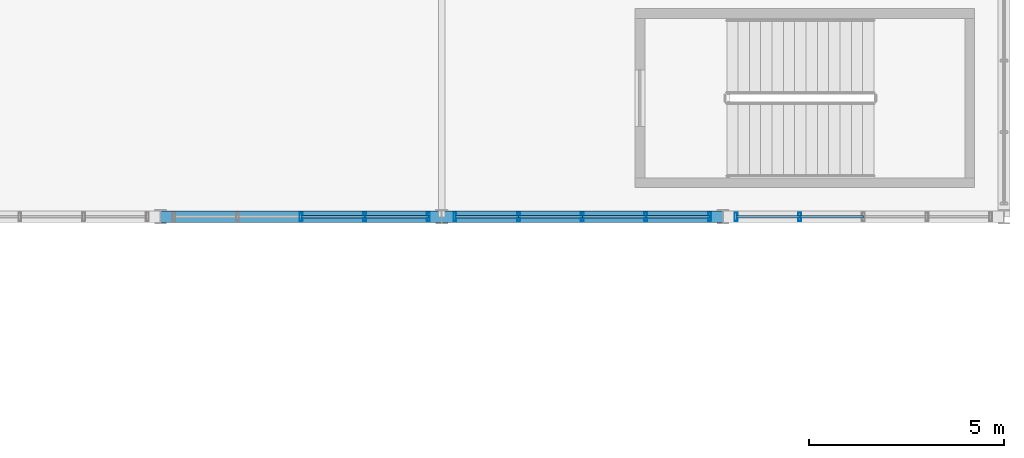
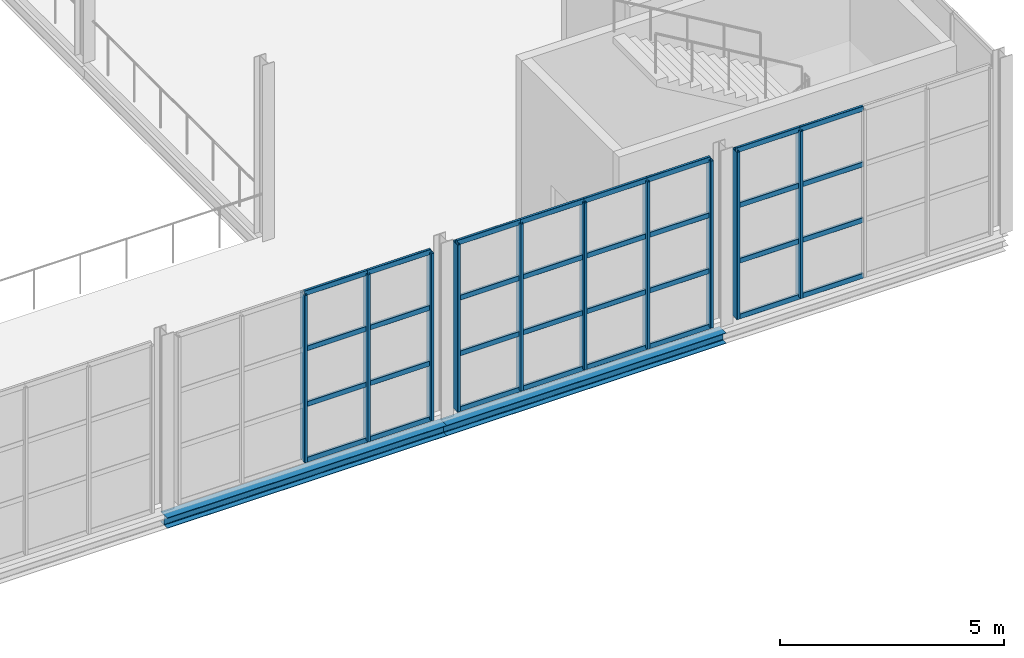
# One storey, part 59 of 143: 42 members, 2 beams, 3 elements without a shape of their own.
"""IFC4 building model written with IfcOpenShell, lengths in metres."""

from ifc_helpers import new_model, si_unit, derived_unit, direction, frame, origin, origin_2d, place, context, subcontext, project, spatial, hollow_rectangle, i_section, extrude, material, material_profile, profile_set, type_object, element, aggregate, save


model = new_model("IFC4")

# Units and contexts
model_context = context("Model", 3, precision=1e-05, world=origin(), true_north=direction((0.0, 1.0)))
body_context = subcontext(model_context, "Body", "Model", "MODEL_VIEW")
ifc_project = project(units=[si_unit("LENGTHUNIT", "METRE"), si_unit("AREAUNIT", "SQUARE_METRE"), si_unit("VOLUMEUNIT", "CUBIC_METRE"), si_unit("PLANEANGLEUNIT", "RADIAN"), si_unit("MASSUNIT", "GRAM", prefix="KILO"), derived_unit("THERMALTRANSMITTANCEUNIT", [(si_unit("POWERUNIT", "WATT"), 1), (si_unit("LENGTHUNIT", "METRE"), -2), (si_unit("THERMODYNAMICTEMPERATUREUNIT", "KELVIN"), -1)])], contexts=[model_context])

# Site, building, storey
site_placement = place(None, origin())
site = spatial("IfcSite", under=ifc_project, at=site_placement, CompositionType="ELEMENT")
building_placement = place(site_placement, origin())
building = spatial("IfcBuilding", under=site, at=building_placement, Name="Keldorne Ridge Multi-Sports Centre", CompositionType="ELEMENT")
storey_placement = place(building_placement, frame((0.0, 0.0, 4.800048828125)))
storey = spatial("IfcBuildingStorey", under=building, at=storey_placement, Name="L01", CompositionType="ELEMENT", Elevation=4.800048828125)

# Beams
ifc_material_1 = material(Name="Steel S355", Category="steel")
ifc_material_profile_1 = material_profile(ifc_material_1, i_section(OverallWidth=0.300048828125, OverallDepth=0.2900390625, WebThickness=0.008544921875, FlangeThickness=0.013916015625, FilletRadius=0.027099609375, at=origin_2d()), Name="HEA 300")
ifc_profile_set_1 = profile_set([ifc_material_profile_1], Name="Steel S355")
beam_type = type_object("IfcBeamType", Name="BM-SP-04", PredefinedType="SPANDREL", material=ifc_profile_set_1)
beam_1_placement = place(storey_placement, frame((20.39990234375, 74.0, -0.3701171875), z_axis=(1.0, 0.0, 0.0), x_axis=(0.0, 1.0, 0.0)))
element("IfcBeam", 1, at=beam_1_placement, inside=storey, type_object=beam_type, Name="Climbing spandrel L01.74.3", PredefinedType="SPANDREL", context=body_context, shape_type="SweptSolid", body=[
    extrude(i_section(OverallWidth=0.300048828125, OverallDepth=0.2900390625, WebThickness=0.008544921875, FlangeThickness=0.013916015625, FilletRadius=0.027099609375, at=origin_2d()), origin(), (0.0, 0.0, 1.0), 7.2001953125),
])
beam_2_placement = place(storey_placement, frame((27.60009765625, 74.0, -0.3701171875), z_axis=(1.0, 0.0, 0.0), x_axis=(0.0, 1.0, 0.0)))
element("IfcBeam", 2, at=beam_2_placement, inside=storey, type_object=beam_type, Name="Climbing spandrel L01.74.4", PredefinedType="SPANDREL", context=body_context, shape_type="SweptSolid", body=[
    extrude(i_section(OverallWidth=0.300048828125, OverallDepth=0.2900390625, WebThickness=0.008544921875, FlangeThickness=0.013916015625, FilletRadius=0.027099609375, at=origin_2d()), origin(), (0.0, 0.0, 1.0), 7.199951171875),
])

# Curtain wall, members
ifc_material_2 = material(Name="Anodized aluminium", Category="aluminium")
curtain_wall_type_1 = type_object("IfcCurtainWallType", Name="CW-CW-04", PredefinedType="NOTDEFINED", material=ifc_material_2)
curtain_wall_1_placement = place(storey_placement, origin())
curtain_wall_1 = element("IfcCurtainWall", 3, at=curtain_wall_1_placement, inside=storey, type_object=curtain_wall_type_1, Name="Climbing belay south glazing 044", PredefinedType="NOTDEFINED")
ifc_material_profile_2 = material_profile(ifc_material_2, hollow_rectangle(XDim=0.074951171875, YDim=0.219970703125, WallThickness=0.0048828125, InnerFilletRadius=0.0048828125, OuterFilletRadius=0.010009765625, at=origin_2d()), Name="ALU MULLION 220x75x5")
ifc_profile_set_2 = profile_set([ifc_material_profile_2], Name="Anodized aluminium")
member_type_1 = type_object("IfcMemberType", Name="MEM-ML-02", PredefinedType="MULLION", material=ifc_profile_set_2)
member_1_placement = place(storey_placement, frame((24.0, 74.0, 0.0), z_axis=(0.0, 0.0, 1.0), x_axis=(1.0, 0.0, 0.0)))
member_1 = element("IfcMember", 4, at=member_1_placement, type_object=member_type_1, Name="CW-044 vertical mullion 3", PredefinedType="MULLION", context=body_context, shape_type="SweptSolid", body=[
    extrude(hollow_rectangle(XDim=0.074951171875, YDim=0.219970703125, WallThickness=0.0048828125, InnerFilletRadius=0.0048828125, OuterFilletRadius=0.010009765625, at=origin_2d()), origin(), (0.0, 0.0, 1.0), 4.550048828125),
])
member_2_placement = place(storey_placement, frame((25.6298828125, 74.0, 0.0), z_axis=(0.0, 0.0, 1.0), x_axis=(1.0, 0.0, 0.0)))
member_2 = element("IfcMember", 5, at=member_2_placement, type_object=member_type_1, Name="CW-044 vertical mullion 4", PredefinedType="MULLION", context=body_context, shape_type="SweptSolid", body=[
    extrude(hollow_rectangle(XDim=0.074951171875, YDim=0.219970703125, WallThickness=0.0048828125, InnerFilletRadius=0.0048828125, OuterFilletRadius=0.010009765625, at=origin_2d()), origin(), (0.0, 0.0, 1.0), 4.550048828125),
])
member_3_placement = place(storey_placement, frame((27.260009765625, 74.0, 0.0), z_axis=(0.0, 0.0, 1.0), x_axis=(1.0, 0.0, 0.0)))
member_3 = element("IfcMember", 6, at=member_3_placement, type_object=member_type_1, Name="CW-044 vertical mullion 5", PredefinedType="MULLION", context=body_context, shape_type="SweptSolid", body=[
    extrude(hollow_rectangle(XDim=0.074951171875, YDim=0.219970703125, WallThickness=0.0048828125, InnerFilletRadius=0.0048828125, OuterFilletRadius=0.010009765625, at=origin_2d()), origin(), (0.0, 0.0, 1.0), 4.550048828125),
])

curtain_wall_type_2 = type_object("IfcCurtainWallType", Name="CW-CW-08", PredefinedType="NOTDEFINED", material=ifc_material_2)
curtain_wall_2_placement = place(storey_placement, origin())
curtain_wall_2 = element("IfcCurtainWall", 7, at=curtain_wall_2_placement, inside=storey, type_object=curtain_wall_type_2, Name="Climbing belay south glazing 048", PredefinedType="NOTDEFINED")
member_4_placement = place(storey_placement, frame((27.93994140625, 74.0, 0.0), z_axis=(0.0, 0.0, 1.0), x_axis=(1.0, 0.0, 0.0)))
member_4 = element("IfcMember", 8, at=member_4_placement, type_object=member_type_1, Name="CW-048 vertical mullion 1", PredefinedType="MULLION", context=body_context, shape_type="SweptSolid", body=[
    extrude(hollow_rectangle(XDim=0.074951171875, YDim=0.219970703125, WallThickness=0.0048828125, InnerFilletRadius=0.0048828125, OuterFilletRadius=0.010009765625, at=origin_2d()), origin(), (0.0, 0.0, 1.0), 4.550048828125),
])
member_5_placement = place(storey_placement, frame((29.570068359375, 74.0, 0.0), z_axis=(0.0, 0.0, 1.0), x_axis=(1.0, 0.0, 0.0)))
member_5 = element("IfcMember", 9, at=member_5_placement, type_object=member_type_1, Name="CW-048 vertical mullion 2", PredefinedType="MULLION", context=body_context, shape_type="SweptSolid", body=[
    extrude(hollow_rectangle(XDim=0.074951171875, YDim=0.219970703125, WallThickness=0.0048828125, InnerFilletRadius=0.0048828125, OuterFilletRadius=0.010009765625, at=origin_2d()), origin(), (0.0, 0.0, 1.0), 4.550048828125),
])
member_6_placement = place(storey_placement, frame((31.199951171875, 74.0, 0.0), z_axis=(0.0, 0.0, 1.0), x_axis=(1.0, 0.0, 0.0)))
member_6 = element("IfcMember", 10, at=member_6_placement, type_object=member_type_1, Name="CW-048 vertical mullion 3", PredefinedType="MULLION", context=body_context, shape_type="SweptSolid", body=[
    extrude(hollow_rectangle(XDim=0.074951171875, YDim=0.219970703125, WallThickness=0.0048828125, InnerFilletRadius=0.0048828125, OuterFilletRadius=0.010009765625, at=origin_2d()), origin(), (0.0, 0.0, 1.0), 4.550048828125),
])
member_7_placement = place(storey_placement, frame((32.830078125, 74.0, 0.0), z_axis=(0.0, 0.0, 1.0), x_axis=(1.0, 0.0, 0.0)))
member_7 = element("IfcMember", 11, at=member_7_placement, type_object=member_type_1, Name="CW-048 vertical mullion 4", PredefinedType="MULLION", context=body_context, shape_type="SweptSolid", body=[
    extrude(hollow_rectangle(XDim=0.074951171875, YDim=0.219970703125, WallThickness=0.0048828125, InnerFilletRadius=0.0048828125, OuterFilletRadius=0.010009765625, at=origin_2d()), origin(), (0.0, 0.0, 1.0), 4.550048828125),
])
member_8_placement = place(storey_placement, frame((34.4599609375, 74.0, 0.0), z_axis=(0.0, 0.0, 1.0), x_axis=(1.0, 0.0, 0.0)))
member_8 = element("IfcMember", 12, at=member_8_placement, type_object=member_type_1, Name="CW-048 vertical mullion 5", PredefinedType="MULLION", context=body_context, shape_type="SweptSolid", body=[
    extrude(hollow_rectangle(XDim=0.074951171875, YDim=0.219970703125, WallThickness=0.0048828125, InnerFilletRadius=0.0048828125, OuterFilletRadius=0.010009765625, at=origin_2d()), origin(), (0.0, 0.0, 1.0), 4.550048828125),
])

curtain_wall_type_3 = type_object("IfcCurtainWallType", Name="CW-CW-05", PredefinedType="NOTDEFINED", material=ifc_material_2)
curtain_wall_3_placement = place(storey_placement, origin())
curtain_wall_3 = element("IfcCurtainWall", 13, at=curtain_wall_3_placement, inside=storey, type_object=curtain_wall_type_3, Name="Climbing belay south glazing 053", PredefinedType="NOTDEFINED")
member_9_placement = place(storey_placement, frame((35.139892578125, 74.0, 0.0), z_axis=(0.0, 0.0, 1.0), x_axis=(1.0, 0.0, 0.0)))
member_9 = element("IfcMember", 14, at=member_9_placement, type_object=member_type_1, Name="CW-053 vertical mullion 1", PredefinedType="MULLION", context=body_context, shape_type="SweptSolid", body=[
    extrude(hollow_rectangle(XDim=0.074951171875, YDim=0.219970703125, WallThickness=0.0048828125, InnerFilletRadius=0.0048828125, OuterFilletRadius=0.010009765625, at=origin_2d()), origin(), (0.0, 0.0, 1.0), 4.550048828125),
])
member_10_placement = place(storey_placement, frame((36.77001953125, 74.0, 0.0), z_axis=(0.0, 0.0, 1.0), x_axis=(1.0, 0.0, 0.0)))
member_10 = element("IfcMember", 15, at=member_10_placement, type_object=member_type_1, Name="CW-053 vertical mullion 2", PredefinedType="MULLION", context=body_context, shape_type="SweptSolid", body=[
    extrude(hollow_rectangle(XDim=0.074951171875, YDim=0.219970703125, WallThickness=0.0048828125, InnerFilletRadius=0.0048828125, OuterFilletRadius=0.010009765625, at=origin_2d()), origin(), (0.0, 0.0, 1.0), 4.550048828125),
])

# Member
ifc_material_profile_3 = material_profile(ifc_material_2, hollow_rectangle(XDim=0.06494140625, YDim=0.139892578125, WallThickness=0.00439453125, InnerFilletRadius=0.00439453125, OuterFilletRadius=0.009033203125, at=origin_2d()), Name="ALU TRANSOM 140x65x4.5")
ifc_profile_set_3 = profile_set([ifc_material_profile_3], Name="Anodized aluminium")
member_type_2 = type_object("IfcMemberType", Name="MEM-TR-01", PredefinedType="USERDEFINED", material=ifc_profile_set_3)
member_11_placement = place(storey_placement, frame((24.0, 74.0, 0.0), z_axis=(1.0, 0.0, 0.0), x_axis=(0.0, 1.0, 0.0)))
member_11 = element("IfcMember", 16, at=member_11_placement, type_object=member_type_2, Name="CW-044 transom 3.1", ObjectType="TRANSOM", PredefinedType="USERDEFINED", context=body_context, shape_type="SweptSolid", body=[
    extrude(hollow_rectangle(XDim=0.06494140625, YDim=0.139892578125, WallThickness=0.00439453125, InnerFilletRadius=0.00439453125, OuterFilletRadius=0.009033203125, at=origin_2d()), origin(), (0.0, 0.0, 1.0), 1.6298828125),
])

member_12_placement = place(storey_placement, frame((24.0, 74.0, 1.5166015625), z_axis=(1.0, 0.0, 0.0), x_axis=(0.0, 1.0, 0.0)))
member_12 = element("IfcMember", 17, at=member_12_placement, type_object=member_type_2, Name="CW-044 transom 3.2", ObjectType="TRANSOM", PredefinedType="USERDEFINED", context=body_context, shape_type="SweptSolid", body=[
    extrude(hollow_rectangle(XDim=0.06494140625, YDim=0.139892578125, WallThickness=0.00439453125, InnerFilletRadius=0.00439453125, OuterFilletRadius=0.009033203125, at=origin_2d()), origin(), (0.0, 0.0, 1.0), 1.6298828125),
])

member_13_placement = place(storey_placement, frame((24.0, 74.0, 3.033203125), z_axis=(1.0, 0.0, 0.0), x_axis=(0.0, 1.0, 0.0)))
member_13 = element("IfcMember", 18, at=member_13_placement, type_object=member_type_2, Name="CW-044 transom 3.3", ObjectType="TRANSOM", PredefinedType="USERDEFINED", context=body_context, shape_type="SweptSolid", body=[
    extrude(hollow_rectangle(XDim=0.06494140625, YDim=0.139892578125, WallThickness=0.00439453125, InnerFilletRadius=0.00439453125, OuterFilletRadius=0.009033203125, at=origin_2d()), origin(), (0.0, 0.0, 1.0), 1.6298828125),
])

member_14_placement = place(storey_placement, frame((24.0, 74.0, 4.550048828125), z_axis=(1.0, 0.0, 0.0), x_axis=(0.0, 1.0, 0.0)))
member_14 = element("IfcMember", 19, at=member_14_placement, type_object=member_type_2, Name="CW-044 transom 3.4", ObjectType="TRANSOM", PredefinedType="USERDEFINED", context=body_context, shape_type="SweptSolid", body=[
    extrude(hollow_rectangle(XDim=0.06494140625, YDim=0.139892578125, WallThickness=0.00439453125, InnerFilletRadius=0.00439453125, OuterFilletRadius=0.009033203125, at=origin_2d()), origin(), (0.0, 0.0, 1.0), 1.6298828125),
])

member_15_placement = place(storey_placement, frame((25.6298828125, 74.0, 0.0), z_axis=(1.0, 0.0, 0.0), x_axis=(0.0, 1.0, 0.0)))
member_15 = element("IfcMember", 20, at=member_15_placement, type_object=member_type_2, Name="CW-044 transom 4.1", ObjectType="TRANSOM", PredefinedType="USERDEFINED", context=body_context, shape_type="SweptSolid", body=[
    extrude(hollow_rectangle(XDim=0.06494140625, YDim=0.139892578125, WallThickness=0.00439453125, InnerFilletRadius=0.00439453125, OuterFilletRadius=0.009033203125, at=origin_2d()), origin(), (0.0, 0.0, 1.0), 1.630126953125),
])

member_16_placement = place(storey_placement, frame((25.6298828125, 74.0, 1.5166015625), z_axis=(1.0, 0.0, 0.0), x_axis=(0.0, 1.0, 0.0)))
member_16 = element("IfcMember", 21, at=member_16_placement, type_object=member_type_2, Name="CW-044 transom 4.2", ObjectType="TRANSOM", PredefinedType="USERDEFINED", context=body_context, shape_type="SweptSolid", body=[
    extrude(hollow_rectangle(XDim=0.06494140625, YDim=0.139892578125, WallThickness=0.00439453125, InnerFilletRadius=0.00439453125, OuterFilletRadius=0.009033203125, at=origin_2d()), origin(), (0.0, 0.0, 1.0), 1.630126953125),
])

member_17_placement = place(storey_placement, frame((25.6298828125, 74.0, 3.033203125), z_axis=(1.0, 0.0, 0.0), x_axis=(0.0, 1.0, 0.0)))
member_17 = element("IfcMember", 22, at=member_17_placement, type_object=member_type_2, Name="CW-044 transom 4.3", ObjectType="TRANSOM", PredefinedType="USERDEFINED", context=body_context, shape_type="SweptSolid", body=[
    extrude(hollow_rectangle(XDim=0.06494140625, YDim=0.139892578125, WallThickness=0.00439453125, InnerFilletRadius=0.00439453125, OuterFilletRadius=0.009033203125, at=origin_2d()), origin(), (0.0, 0.0, 1.0), 1.630126953125),
])

member_18_placement = place(storey_placement, frame((25.6298828125, 74.0, 4.550048828125), z_axis=(1.0, 0.0, 0.0), x_axis=(0.0, 1.0, 0.0)))
member_18 = element("IfcMember", 23, at=member_18_placement, type_object=member_type_2, Name="CW-044 transom 4.4", ObjectType="TRANSOM", PredefinedType="USERDEFINED", context=body_context, shape_type="SweptSolid", body=[
    extrude(hollow_rectangle(XDim=0.06494140625, YDim=0.139892578125, WallThickness=0.00439453125, InnerFilletRadius=0.00439453125, OuterFilletRadius=0.009033203125, at=origin_2d()), origin(), (0.0, 0.0, 1.0), 1.630126953125),
])

aggregate(curtain_wall_1, [member_1, member_2, member_3, member_11, member_12, member_13, member_14, member_15, member_16, member_17, member_18])

member_19_placement = place(storey_placement, frame((27.93994140625, 74.0, 0.0), z_axis=(1.0, 0.0, 0.0), x_axis=(0.0, 1.0, 0.0)))
member_19 = element("IfcMember", 24, at=member_19_placement, type_object=member_type_2, Name="CW-048 transom 1.1", ObjectType="TRANSOM", PredefinedType="USERDEFINED", context=body_context, shape_type="SweptSolid", body=[
    extrude(hollow_rectangle(XDim=0.06494140625, YDim=0.139892578125, WallThickness=0.00439453125, InnerFilletRadius=0.00439453125, OuterFilletRadius=0.009033203125, at=origin_2d()), origin(), (0.0, 0.0, 1.0), 1.630126953125),
])

member_20_placement = place(storey_placement, frame((27.93994140625, 74.0, 1.5166015625), z_axis=(1.0, 0.0, 0.0), x_axis=(0.0, 1.0, 0.0)))
member_20 = element("IfcMember", 25, at=member_20_placement, type_object=member_type_2, Name="CW-048 transom 1.2", ObjectType="TRANSOM", PredefinedType="USERDEFINED", context=body_context, shape_type="SweptSolid", body=[
    extrude(hollow_rectangle(XDim=0.06494140625, YDim=0.139892578125, WallThickness=0.00439453125, InnerFilletRadius=0.00439453125, OuterFilletRadius=0.009033203125, at=origin_2d()), origin(), (0.0, 0.0, 1.0), 1.630126953125),
])

member_21_placement = place(storey_placement, frame((27.93994140625, 74.0, 3.033203125), z_axis=(1.0, 0.0, 0.0), x_axis=(0.0, 1.0, 0.0)))
member_21 = element("IfcMember", 26, at=member_21_placement, type_object=member_type_2, Name="CW-048 transom 1.3", ObjectType="TRANSOM", PredefinedType="USERDEFINED", context=body_context, shape_type="SweptSolid", body=[
    extrude(hollow_rectangle(XDim=0.06494140625, YDim=0.139892578125, WallThickness=0.00439453125, InnerFilletRadius=0.00439453125, OuterFilletRadius=0.009033203125, at=origin_2d()), origin(), (0.0, 0.0, 1.0), 1.630126953125),
])

member_22_placement = place(storey_placement, frame((27.93994140625, 74.0, 4.550048828125), z_axis=(1.0, 0.0, 0.0), x_axis=(0.0, 1.0, 0.0)))
member_22 = element("IfcMember", 27, at=member_22_placement, type_object=member_type_2, Name="CW-048 transom 1.4", ObjectType="TRANSOM", PredefinedType="USERDEFINED", context=body_context, shape_type="SweptSolid", body=[
    extrude(hollow_rectangle(XDim=0.06494140625, YDim=0.139892578125, WallThickness=0.00439453125, InnerFilletRadius=0.00439453125, OuterFilletRadius=0.009033203125, at=origin_2d()), origin(), (0.0, 0.0, 1.0), 1.630126953125),
])

member_23_placement = place(storey_placement, frame((29.570068359375, 74.0, 0.0), z_axis=(1.0, 0.0, 0.0), x_axis=(0.0, 1.0, 0.0)))
member_23 = element("IfcMember", 28, at=member_23_placement, type_object=member_type_2, Name="CW-048 transom 2.1", ObjectType="TRANSOM", PredefinedType="USERDEFINED", context=body_context, shape_type="SweptSolid", body=[
    extrude(hollow_rectangle(XDim=0.06494140625, YDim=0.139892578125, WallThickness=0.00439453125, InnerFilletRadius=0.00439453125, OuterFilletRadius=0.009033203125, at=origin_2d()), origin(), (0.0, 0.0, 1.0), 1.6298828125),
])

member_24_placement = place(storey_placement, frame((29.570068359375, 74.0, 1.5166015625), z_axis=(1.0, 0.0, 0.0), x_axis=(0.0, 1.0, 0.0)))
member_24 = element("IfcMember", 29, at=member_24_placement, type_object=member_type_2, Name="CW-048 transom 2.2", ObjectType="TRANSOM", PredefinedType="USERDEFINED", context=body_context, shape_type="SweptSolid", body=[
    extrude(hollow_rectangle(XDim=0.06494140625, YDim=0.139892578125, WallThickness=0.00439453125, InnerFilletRadius=0.00439453125, OuterFilletRadius=0.009033203125, at=origin_2d()), origin(), (0.0, 0.0, 1.0), 1.6298828125),
])

member_25_placement = place(storey_placement, frame((29.570068359375, 74.0, 3.033203125), z_axis=(1.0, 0.0, 0.0), x_axis=(0.0, 1.0, 0.0)))
member_25 = element("IfcMember", 30, at=member_25_placement, type_object=member_type_2, Name="CW-048 transom 2.3", ObjectType="TRANSOM", PredefinedType="USERDEFINED", context=body_context, shape_type="SweptSolid", body=[
    extrude(hollow_rectangle(XDim=0.06494140625, YDim=0.139892578125, WallThickness=0.00439453125, InnerFilletRadius=0.00439453125, OuterFilletRadius=0.009033203125, at=origin_2d()), origin(), (0.0, 0.0, 1.0), 1.6298828125),
])

member_26_placement = place(storey_placement, frame((29.570068359375, 74.0, 4.550048828125), z_axis=(1.0, 0.0, 0.0), x_axis=(0.0, 1.0, 0.0)))
member_26 = element("IfcMember", 31, at=member_26_placement, type_object=member_type_2, Name="CW-048 transom 2.4", ObjectType="TRANSOM", PredefinedType="USERDEFINED", context=body_context, shape_type="SweptSolid", body=[
    extrude(hollow_rectangle(XDim=0.06494140625, YDim=0.139892578125, WallThickness=0.00439453125, InnerFilletRadius=0.00439453125, OuterFilletRadius=0.009033203125, at=origin_2d()), origin(), (0.0, 0.0, 1.0), 1.6298828125),
])

member_27_placement = place(storey_placement, frame((31.199951171875, 74.0, 0.0), z_axis=(1.0, 0.0, 0.0), x_axis=(0.0, 1.0, 0.0)))
member_27 = element("IfcMember", 32, at=member_27_placement, type_object=member_type_2, Name="CW-048 transom 3.1", ObjectType="TRANSOM", PredefinedType="USERDEFINED", context=body_context, shape_type="SweptSolid", body=[
    extrude(hollow_rectangle(XDim=0.06494140625, YDim=0.139892578125, WallThickness=0.00439453125, InnerFilletRadius=0.00439453125, OuterFilletRadius=0.009033203125, at=origin_2d()), origin(), (0.0, 0.0, 1.0), 1.630126953125),
])

member_28_placement = place(storey_placement, frame((31.199951171875, 74.0, 1.5166015625), z_axis=(1.0, 0.0, 0.0), x_axis=(0.0, 1.0, 0.0)))
member_28 = element("IfcMember", 33, at=member_28_placement, type_object=member_type_2, Name="CW-048 transom 3.2", ObjectType="TRANSOM", PredefinedType="USERDEFINED", context=body_context, shape_type="SweptSolid", body=[
    extrude(hollow_rectangle(XDim=0.06494140625, YDim=0.139892578125, WallThickness=0.00439453125, InnerFilletRadius=0.00439453125, OuterFilletRadius=0.009033203125, at=origin_2d()), origin(), (0.0, 0.0, 1.0), 1.630126953125),
])

member_29_placement = place(storey_placement, frame((31.199951171875, 74.0, 3.033203125), z_axis=(1.0, 0.0, 0.0), x_axis=(0.0, 1.0, 0.0)))
member_29 = element("IfcMember", 34, at=member_29_placement, type_object=member_type_2, Name="CW-048 transom 3.3", ObjectType="TRANSOM", PredefinedType="USERDEFINED", context=body_context, shape_type="SweptSolid", body=[
    extrude(hollow_rectangle(XDim=0.06494140625, YDim=0.139892578125, WallThickness=0.00439453125, InnerFilletRadius=0.00439453125, OuterFilletRadius=0.009033203125, at=origin_2d()), origin(), (0.0, 0.0, 1.0), 1.630126953125),
])

member_30_placement = place(storey_placement, frame((31.199951171875, 74.0, 4.550048828125), z_axis=(1.0, 0.0, 0.0), x_axis=(0.0, 1.0, 0.0)))
member_30 = element("IfcMember", 35, at=member_30_placement, type_object=member_type_2, Name="CW-048 transom 3.4", ObjectType="TRANSOM", PredefinedType="USERDEFINED", context=body_context, shape_type="SweptSolid", body=[
    extrude(hollow_rectangle(XDim=0.06494140625, YDim=0.139892578125, WallThickness=0.00439453125, InnerFilletRadius=0.00439453125, OuterFilletRadius=0.009033203125, at=origin_2d()), origin(), (0.0, 0.0, 1.0), 1.630126953125),
])

member_31_placement = place(storey_placement, frame((32.830078125, 74.0, 0.0), z_axis=(1.0, 0.0, 0.0), x_axis=(0.0, 1.0, 0.0)))
member_31 = element("IfcMember", 36, at=member_31_placement, type_object=member_type_2, Name="CW-048 transom 4.1", ObjectType="TRANSOM", PredefinedType="USERDEFINED", context=body_context, shape_type="SweptSolid", body=[
    extrude(hollow_rectangle(XDim=0.06494140625, YDim=0.139892578125, WallThickness=0.00439453125, InnerFilletRadius=0.00439453125, OuterFilletRadius=0.009033203125, at=origin_2d()), origin(), (0.0, 0.0, 1.0), 1.6298828125),
])

member_32_placement = place(storey_placement, frame((32.830078125, 74.0, 1.5166015625), z_axis=(1.0, 0.0, 0.0), x_axis=(0.0, 1.0, 0.0)))
member_32 = element("IfcMember", 37, at=member_32_placement, type_object=member_type_2, Name="CW-048 transom 4.2", ObjectType="TRANSOM", PredefinedType="USERDEFINED", context=body_context, shape_type="SweptSolid", body=[
    extrude(hollow_rectangle(XDim=0.06494140625, YDim=0.139892578125, WallThickness=0.00439453125, InnerFilletRadius=0.00439453125, OuterFilletRadius=0.009033203125, at=origin_2d()), origin(), (0.0, 0.0, 1.0), 1.6298828125),
])

member_33_placement = place(storey_placement, frame((32.830078125, 74.0, 3.033203125), z_axis=(1.0, 0.0, 0.0), x_axis=(0.0, 1.0, 0.0)))
member_33 = element("IfcMember", 38, at=member_33_placement, type_object=member_type_2, Name="CW-048 transom 4.3", ObjectType="TRANSOM", PredefinedType="USERDEFINED", context=body_context, shape_type="SweptSolid", body=[
    extrude(hollow_rectangle(XDim=0.06494140625, YDim=0.139892578125, WallThickness=0.00439453125, InnerFilletRadius=0.00439453125, OuterFilletRadius=0.009033203125, at=origin_2d()), origin(), (0.0, 0.0, 1.0), 1.6298828125),
])

member_34_placement = place(storey_placement, frame((32.830078125, 74.0, 4.550048828125), z_axis=(1.0, 0.0, 0.0), x_axis=(0.0, 1.0, 0.0)))
member_34 = element("IfcMember", 39, at=member_34_placement, type_object=member_type_2, Name="CW-048 transom 4.4", ObjectType="TRANSOM", PredefinedType="USERDEFINED", context=body_context, shape_type="SweptSolid", body=[
    extrude(hollow_rectangle(XDim=0.06494140625, YDim=0.139892578125, WallThickness=0.00439453125, InnerFilletRadius=0.00439453125, OuterFilletRadius=0.009033203125, at=origin_2d()), origin(), (0.0, 0.0, 1.0), 1.6298828125),
])

aggregate(curtain_wall_2, [member_4, member_5, member_6, member_7, member_8, member_19, member_20, member_21, member_22, member_23, member_24, member_25, member_26, member_27, member_28, member_29, member_30, member_31, member_32, member_33, member_34])

member_35_placement = place(storey_placement, frame((35.139892578125, 74.0, 0.0), z_axis=(1.0, 0.0, 0.0), x_axis=(0.0, 1.0, 0.0)))
member_35 = element("IfcMember", 40, at=member_35_placement, type_object=member_type_2, Name="CW-053 transom 1.1", ObjectType="TRANSOM", PredefinedType="USERDEFINED", context=body_context, shape_type="SweptSolid", body=[
    extrude(hollow_rectangle(XDim=0.06494140625, YDim=0.139892578125, WallThickness=0.00439453125, InnerFilletRadius=0.00439453125, OuterFilletRadius=0.009033203125, at=origin_2d()), origin(), (0.0, 0.0, 1.0), 1.630126953125),
])

member_36_placement = place(storey_placement, frame((35.139892578125, 74.0, 1.5166015625), z_axis=(1.0, 0.0, 0.0), x_axis=(0.0, 1.0, 0.0)))
member_36 = element("IfcMember", 41, at=member_36_placement, type_object=member_type_2, Name="CW-053 transom 1.2", ObjectType="TRANSOM", PredefinedType="USERDEFINED", context=body_context, shape_type="SweptSolid", body=[
    extrude(hollow_rectangle(XDim=0.06494140625, YDim=0.139892578125, WallThickness=0.00439453125, InnerFilletRadius=0.00439453125, OuterFilletRadius=0.009033203125, at=origin_2d()), origin(), (0.0, 0.0, 1.0), 1.630126953125),
])

member_37_placement = place(storey_placement, frame((35.139892578125, 74.0, 3.033203125), z_axis=(1.0, 0.0, 0.0), x_axis=(0.0, 1.0, 0.0)))
member_37 = element("IfcMember", 42, at=member_37_placement, type_object=member_type_2, Name="CW-053 transom 1.3", ObjectType="TRANSOM", PredefinedType="USERDEFINED", context=body_context, shape_type="SweptSolid", body=[
    extrude(hollow_rectangle(XDim=0.06494140625, YDim=0.139892578125, WallThickness=0.00439453125, InnerFilletRadius=0.00439453125, OuterFilletRadius=0.009033203125, at=origin_2d()), origin(), (0.0, 0.0, 1.0), 1.630126953125),
])

member_38_placement = place(storey_placement, frame((35.139892578125, 74.0, 4.550048828125), z_axis=(1.0, 0.0, 0.0), x_axis=(0.0, 1.0, 0.0)))
member_38 = element("IfcMember", 43, at=member_38_placement, type_object=member_type_2, Name="CW-053 transom 1.4", ObjectType="TRANSOM", PredefinedType="USERDEFINED", context=body_context, shape_type="SweptSolid", body=[
    extrude(hollow_rectangle(XDim=0.06494140625, YDim=0.139892578125, WallThickness=0.00439453125, InnerFilletRadius=0.00439453125, OuterFilletRadius=0.009033203125, at=origin_2d()), origin(), (0.0, 0.0, 1.0), 1.630126953125),
])

member_39_placement = place(storey_placement, frame((36.77001953125, 74.0, 0.0), z_axis=(1.0, 0.0, 0.0), x_axis=(0.0, 1.0, 0.0)))
member_39 = element("IfcMember", 44, at=member_39_placement, type_object=member_type_2, Name="CW-053 transom 2.1", ObjectType="TRANSOM", PredefinedType="USERDEFINED", context=body_context, shape_type="SweptSolid", body=[
    extrude(hollow_rectangle(XDim=0.06494140625, YDim=0.139892578125, WallThickness=0.00439453125, InnerFilletRadius=0.00439453125, OuterFilletRadius=0.009033203125, at=origin_2d()), origin(), (0.0, 0.0, 1.0), 1.6298828125),
])

member_40_placement = place(storey_placement, frame((36.77001953125, 74.0, 1.5166015625), z_axis=(1.0, 0.0, 0.0), x_axis=(0.0, 1.0, 0.0)))
member_40 = element("IfcMember", 45, at=member_40_placement, type_object=member_type_2, Name="CW-053 transom 2.2", ObjectType="TRANSOM", PredefinedType="USERDEFINED", context=body_context, shape_type="SweptSolid", body=[
    extrude(hollow_rectangle(XDim=0.06494140625, YDim=0.139892578125, WallThickness=0.00439453125, InnerFilletRadius=0.00439453125, OuterFilletRadius=0.009033203125, at=origin_2d()), origin(), (0.0, 0.0, 1.0), 1.6298828125),
])

member_41_placement = place(storey_placement, frame((36.77001953125, 74.0, 3.033203125), z_axis=(1.0, 0.0, 0.0), x_axis=(0.0, 1.0, 0.0)))
member_41 = element("IfcMember", 46, at=member_41_placement, type_object=member_type_2, Name="CW-053 transom 2.3", ObjectType="TRANSOM", PredefinedType="USERDEFINED", context=body_context, shape_type="SweptSolid", body=[
    extrude(hollow_rectangle(XDim=0.06494140625, YDim=0.139892578125, WallThickness=0.00439453125, InnerFilletRadius=0.00439453125, OuterFilletRadius=0.009033203125, at=origin_2d()), origin(), (0.0, 0.0, 1.0), 1.6298828125),
])

member_42_placement = place(storey_placement, frame((36.77001953125, 74.0, 4.550048828125), z_axis=(1.0, 0.0, 0.0), x_axis=(0.0, 1.0, 0.0)))
member_42 = element("IfcMember", 47, at=member_42_placement, type_object=member_type_2, Name="CW-053 transom 2.4", ObjectType="TRANSOM", PredefinedType="USERDEFINED", context=body_context, shape_type="SweptSolid", body=[
    extrude(hollow_rectangle(XDim=0.06494140625, YDim=0.139892578125, WallThickness=0.00439453125, InnerFilletRadius=0.00439453125, OuterFilletRadius=0.009033203125, at=origin_2d()), origin(), (0.0, 0.0, 1.0), 1.6298828125),
])

aggregate(curtain_wall_3, [member_9, member_10, member_35, member_36, member_37, member_38, member_39, member_40, member_41, member_42])

save(model, "model.ifc")
